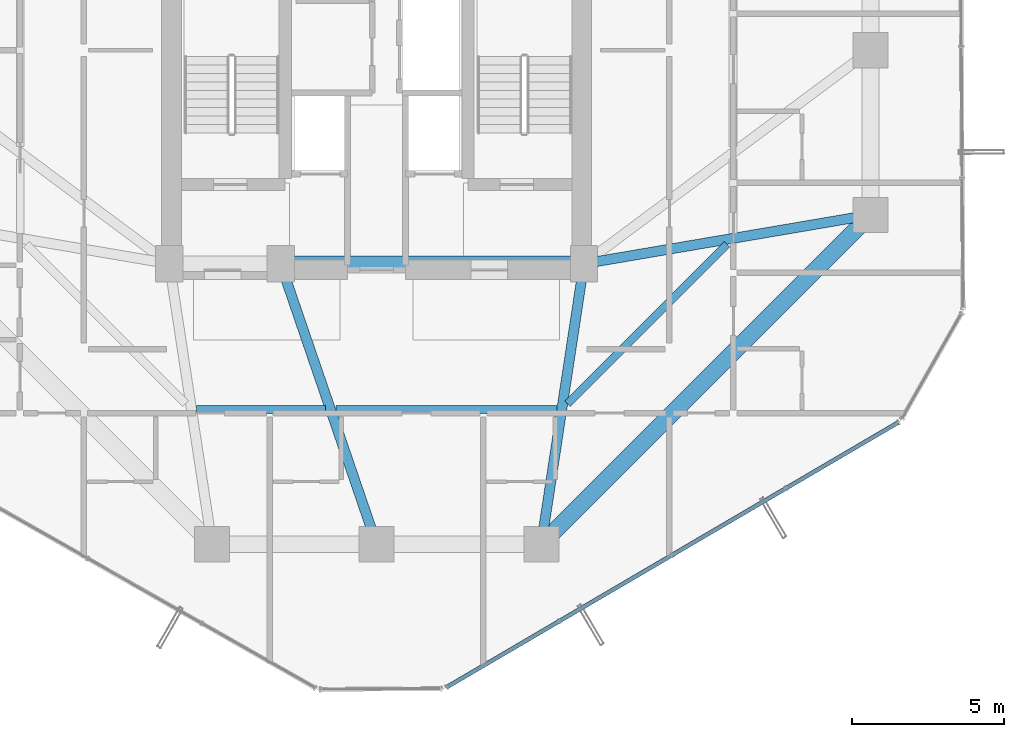
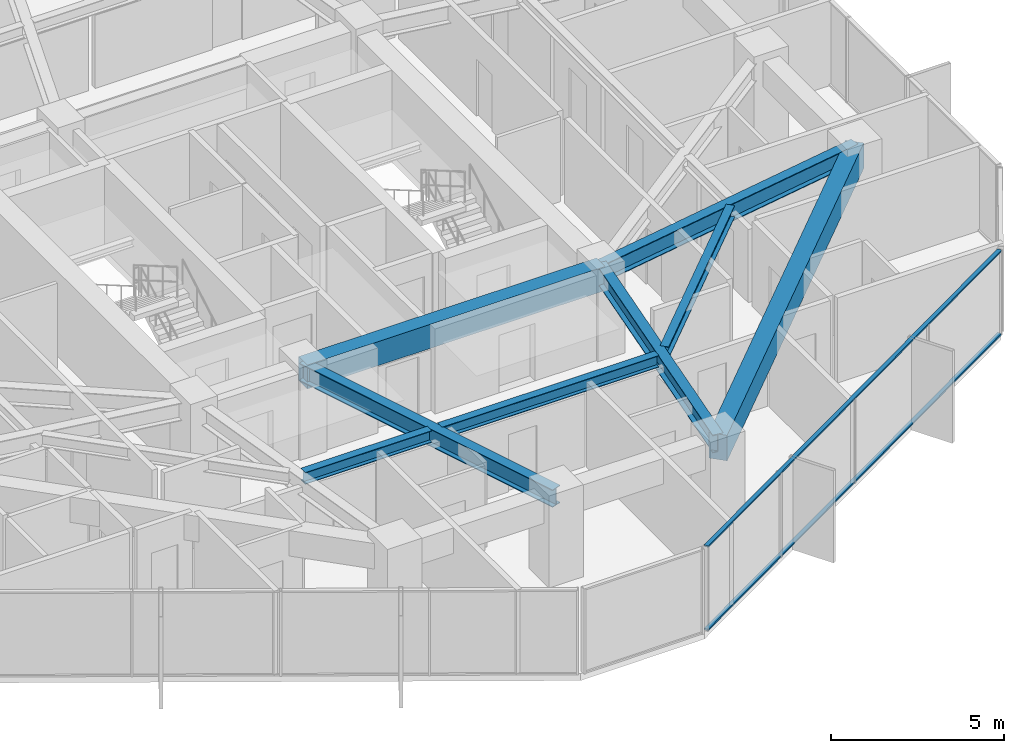
# One storey, part 8 of 30: 8 beams, 2 members, 1 element without a shape of its own.
"""IFC4 building model written with IfcOpenShell, lengths in metres."""

import ifcopenshell
import ifcopenshell.guid

model = None  # the IFC model being written
_history = None  # IfcOwnerHistory: only IFC2X3 demands one
_inside = {}  # id of a spatial element -> (the spatial element, [elements in it])
_under = {}  # id of a project, library or spatial element -> (it, [spatial elements below it])
_declared = {}  # id of a project -> (the project, [libraries it declares])
_typed = {}  # id of a type object -> (the type object, [elements of that type])
_made_of = {}  # id of a material, layer set ... -> (it, [elements and type objects made of it])


def new_model(schema):
    """Start an empty IFC model of exactly this schema.

    Asked for "IFC4X3", IfcOpenShell would pick the latest addendum, in which some entities
    have other attributes; the version numbers below select the first issue.
    IFC2X3 requires an IfcOwnerHistory on every rooted entity: one is made here for all.
    """
    global model, _history
    if schema == "IFC4X3":
        model = ifcopenshell.file(schema_version=(4, 3, 0, 0))
    else:
        model = ifcopenshell.file(schema=schema)
    _inside.clear()
    _under.clear()
    _declared.clear()
    _typed.clear()
    _made_of.clear()
    _history = None
    if model.schema == "IFC2X3":
        org = make("IfcOrganization", Name="unknown")
        user = make(
            "IfcPersonAndOrganization",
            ThePerson=make("IfcPerson", FamilyName="unknown"),
            TheOrganization=org,
        )
        app = make(
            "IfcApplication",
            ApplicationDeveloper=org,
            Version="unknown",
            ApplicationFullName="unknown",
            ApplicationIdentifier="unknown",
        )
        _history = make(
            "IfcOwnerHistory",
            OwningUser=user,
            OwningApplication=app,
            ChangeAction="ADDED",
            CreationDate=0,
        )
    return model


def make(cls, **values):
    """One entity of the class cls with the attributes given. An attribute that is None is left unset."""
    return model.create_entity(
        cls, **{name: value for name, value in values.items() if value is not None}
    )


def rooted(cls, **values):
    """An entity with a GlobalId (a new one), such as an element, a storey or a relation."""
    return make(cls, GlobalId=ifcopenshell.guid.new(), OwnerHistory=_history, **values)


def si_unit(unit_type, name, prefix=None):
    """IfcSIUnit, for example si_unit("LENGTHUNIT", "METRE", prefix="MILLI")."""
    return make("IfcSIUnit", UnitType=unit_type, Prefix=prefix, Name=name)


def assignment(units):
    """IfcUnitAssignment: the units of a project."""
    return None if units is None else make("IfcUnitAssignment", Units=units)


def point(xyz):
    """IfcCartesianPoint."""
    return None if xyz is None else make("IfcCartesianPoint", Coordinates=xyz)


def direction(xyz):
    """IfcDirection."""
    return None if xyz is None else make("IfcDirection", DirectionRatios=xyz)


def frame(location, z_axis=None, x_axis=None):
    """IfcAxis2Placement3D, a coordinate frame: its origin and axes. An axis left out is left unset."""
    return make(
        "IfcAxis2Placement3D",
        Location=point(location),
        Axis=direction(z_axis),
        RefDirection=direction(x_axis),
    )


def frame_2d(location, x_axis=None):
    """IfcAxis2Placement2D, a coordinate frame in the plane: its origin and x axis."""
    return make(
        "IfcAxis2Placement2D", Location=point(location), RefDirection=direction(x_axis)
    )


def origin():
    """The frame at (0, 0, 0) with its axes left unset."""
    return frame((0.0, 0.0, 0.0))


def origin_2d():
    """The frame at (0, 0) in the plane with its x axis left unset."""
    return frame_2d((0.0, 0.0))


def place(relative_to, where):
    """IfcLocalPlacement: puts the frame where relative to a parent placement (None: the world)."""
    return make(
        "IfcLocalPlacement", PlacementRelTo=relative_to, RelativePlacement=where
    )


def context(
    kind, dimensions, precision=None, world=None, true_north=None, identifier=None
):
    """IfcGeometricRepresentationContext, for example the 3D "Model" context."""
    return make(
        "IfcGeometricRepresentationContext",
        ContextIdentifier=identifier,
        ContextType=kind,
        CoordinateSpaceDimension=dimensions,
        Precision=precision,
        WorldCoordinateSystem=world,
        TrueNorth=true_north,
    )


def subcontext(parent, identifier, kind, view, scale=None):
    """IfcGeometricRepresentationSubContext, for example "Body" below "Model"."""
    return make(
        "IfcGeometricRepresentationSubContext",
        ContextIdentifier=identifier,
        ContextType=kind,
        ParentContext=parent,
        TargetScale=scale,
        TargetView=view,
    )


def project(units=None, contexts=None):
    """IfcProject with its units and contexts."""
    return rooted(
        "IfcProject",
        Name="project",
        RepresentationContexts=contexts,
        UnitsInContext=assignment(units),
    )


def spatial(cls, under=None, at=None, **own):
    """A site, building, storey or space (cls), placed at a placement, below another one or the project."""
    s = rooted(cls, ObjectPlacement=at, **own)
    if under is not None:
        _under.setdefault(under.id(), (under, []))[1].append(s)
    return s


def profile(cls, at=None, kind="AREA", **sizes):
    """A parametric profile (cls). Its sizes go by their IFC names, for example OverallWidth=200.0."""
    return make(cls, ProfileType=kind, Position=at, **sizes)


def rectangle(**sizes):
    """IfcRectangleProfileDef."""
    return profile("IfcRectangleProfileDef", **sizes)


def hollow_rectangle(**sizes):
    """IfcRectangleHollowProfileDef."""
    return profile("IfcRectangleHollowProfileDef", **sizes)


def i_section(**sizes):
    """IfcIShapeProfileDef."""
    return profile("IfcIShapeProfileDef", **sizes)


def extrude(swept, where, along, depth):
    """IfcExtrudedAreaSolid: the profile swept, set in the frame where, extruded along a direction by depth."""
    return make(
        "IfcExtrudedAreaSolid",
        SweptArea=swept,
        Position=where,
        ExtrudedDirection=direction(along),
        Depth=depth,
    )


def shape(context_of_items, identifier, shape_type, items):
    """IfcShapeRepresentation: the items that make up one representation, for example the "Body"."""
    return make(
        "IfcShapeRepresentation",
        ContextOfItems=context_of_items,
        RepresentationIdentifier=identifier,
        RepresentationType=shape_type,
        Items=items,
    )


def source(mapping_origin, context_of_items, identifier, shape_type, items):
    """IfcRepresentationMap: a shape defined once, which mapped items show again and again."""
    return make(
        "IfcRepresentationMap",
        MappingOrigin=mapping_origin,
        MappedRepresentation=shape(context_of_items, identifier, shape_type, items),
    )


def transform(
    local_origin,
    x_axis=None,
    y_axis=None,
    z_axis=None,
    scale=None,
    scale2=None,
    scale3=None,
    uniform=True,
):
    """IfcCartesianTransformationOperator3D, or its non-uniform kind. x_axis, y_axis, z_axis: its Axis1, 2, 3."""
    if uniform:
        return make(
            "IfcCartesianTransformationOperator3D",
            Axis1=direction(x_axis),
            Axis2=direction(y_axis),
            LocalOrigin=point(local_origin),
            Scale=scale,
            Axis3=direction(z_axis),
        )
    return make(
        "IfcCartesianTransformationOperator3DnonUniform",
        Axis1=direction(x_axis),
        Axis2=direction(y_axis),
        LocalOrigin=point(local_origin),
        Scale=scale,
        Axis3=direction(z_axis),
        Scale2=scale2,
        Scale3=scale3,
    )


def mapped(mapping_source, mapping_target):
    """IfcMappedItem: shows the shape of a source again, moved by a transform."""
    return make(
        "IfcMappedItem", MappingSource=mapping_source, MappingTarget=mapping_target
    )


def material(Name=None, Category=None):
    """IfcMaterial."""
    return make("IfcMaterial", Name=Name, Category=Category)


def layer(
    of_material, thickness, ventilated=None, Name=None, Category=None, Priority=None
):
    """IfcMaterialLayer: one layer of a wall or slab, of a material (None: an air gap)."""
    return make(
        "IfcMaterialLayer",
        Material=of_material,
        LayerThickness=thickness,
        IsVentilated=ventilated,
        Name=Name,
        Category=Category,
        Priority=Priority,
    )


def layer_set(layers, Name=None):
    """IfcMaterialLayerSet."""
    return make("IfcMaterialLayerSet", MaterialLayers=layers, LayerSetName=Name)


def material_profile(
    of_material, cross_section, Name=None, Category=None, Priority=None
):
    """IfcMaterialProfile: a cross section and its material."""
    return make(
        "IfcMaterialProfile",
        Name=Name,
        Material=of_material,
        Profile=cross_section,
        Priority=Priority,
        Category=Category,
    )


def profile_set(profiles, Name=None, composite=None):
    """IfcMaterialProfileSet."""
    return make(
        "IfcMaterialProfileSet",
        Name=Name,
        MaterialProfiles=profiles,
        CompositeProfile=composite,
    )


def made_of(thing, what):
    """Note that an element or type object is made of a material, layer set ...; save() writes the relation."""
    if what is not None:
        _made_of.setdefault(what.id(), (what, []))[1].append(thing)
    return thing


def type_object(cls, material=None, **own):
    """A type object (cls), such as IfcWallType, which elements share."""
    return made_of(rooted(cls, **own), material)


def element(
    cls,
    number,
    at=None,
    inside=None,
    cuts=None,
    type_object=None,
    material=None,
    context=None,
    identifier="Body",
    shape_type=None,
    held_by="IfcProductDefinitionShape",
    body=None,
    shapes=None,
    **own,
):
    """One element of the class cls, such as IfcWall. Its Tag is "e" and its number.

    at: its placement. inside: the storey or other place that contains it. cuts: it is an
    opening in that element (IfcRelVoidsElement). A single representation is given by context,
    identifier, shape_type and body (its items); several are given by shapes. held_by: the class
    of the entity that holds the representations. save() writes the other relations.
    """
    e = rooted(cls, Tag="e%d" % number, ObjectPlacement=at, **own)
    if body is not None:
        shapes = [shape(context, identifier, shape_type, body)]
    if shapes is not None:
        e.Representation = make(held_by, Representations=shapes)
    if inside is not None:
        _inside.setdefault(inside.id(), (inside, []))[1].append(e)
    if cuts is not None:
        rooted(
            "IfcRelVoidsElement", RelatingBuildingElement=cuts, RelatedOpeningElement=e
        )
    if type_object is not None:
        _typed.setdefault(type_object.id(), (type_object, []))[1].append(e)
    return made_of(e, material)


def aggregate(whole, parts):
    """IfcRelAggregates: a whole, such as a stair, and the parts it consists of."""
    return rooted("IfcRelAggregates", RelatingObject=whole, RelatedObjects=parts)


def save(model, path):
    """Write the relations noted so far, then the file.

    IfcRelAggregates (storeys below a building ...), IfcRelContainedInSpatialStructure (elements
    in a storey), IfcRelDefinesByType, IfcRelAssociatesMaterial and IfcRelDeclares: one each for
    every whole, place, type object, material and project.
    """
    for whole, parts in _under.values():
        aggregate(whole, parts)
    for where, things in _inside.values():
        rooted(
            "IfcRelContainedInSpatialStructure",
            RelatedElements=things,
            RelatingStructure=where,
        )
    for kind, things in _typed.values():
        rooted("IfcRelDefinesByType", RelatedObjects=things, RelatingType=kind)
    for what, things in _made_of.values():
        rooted("IfcRelAssociatesMaterial", RelatedObjects=things, RelatingMaterial=what)
    for by, libraries in _declared.values():
        rooted("IfcRelDeclares", RelatingContext=by, RelatedDefinitions=libraries)
    model.write(path)


model = new_model("IFC4")

# Units and contexts
model_context = context("Model", 3, precision=1e-05, world=origin(), true_north=direction((0.0, 1.0)))
body_context = subcontext(model_context, "Body", "Model", "MODEL_VIEW")
ifc_project = project(units=[si_unit("LENGTHUNIT", "METRE"), si_unit("AREAUNIT", "SQUARE_METRE"), si_unit("VOLUMEUNIT", "CUBIC_METRE"), si_unit("PLANEANGLEUNIT", "RADIAN"), si_unit("MASSUNIT", "GRAM", prefix="KILO")], contexts=[model_context])

# Site, building, storey
site_placement = place(None, origin())
site = spatial("IfcSite", under=ifc_project, at=site_placement, CompositionType="ELEMENT")
building_placement = place(site_placement, origin())
building = spatial("IfcBuilding", under=site, at=building_placement, Name="Veraguas Prism Commons", CompositionType="ELEMENT")
storey_placement = place(building_placement, frame((0.0, 0.0, 129.5)))
storey = spatial("IfcBuildingStorey", under=building, at=storey_placement, Name="L36", CompositionType="ELEMENT", Elevation=129.5)

# Beams
ifc_material_1 = material(Name="Concrete C50/60", Category="concrete")
ifc_material_profile_1 = material_profile(ifc_material_1, rectangle(XDim=0.5, YDim=0.85009765625, at=origin_2d()), Name="RC500X850")
ifc_profile_set_1 = profile_set([ifc_material_profile_1], Name="Concrete C50/60")
beam_type_1 = type_object("IfcBeamType", Name="Core Coupling Beam RC 500x850", PredefinedType="BEAM", material=ifc_profile_set_1)
beam_1_placement = place(storey_placement, frame((20.85009765625, 17.0, 2.574951171875), z_axis=(1.0, 0.0, 0.0), x_axis=(0.0, 1.0, 0.0)))
element("IfcBeam", 1, at=beam_1_placement, inside=storey, type_object=beam_type_1, Name="Core Coupling Beam L36-CRS2", PredefinedType="BEAM", context=body_context, shape_type="SweptSolid", body=[
    extrude(rectangle(XDim=0.5, YDim=0.85009765625, at=origin_2d()), origin(), (0.0, 0.0, 1.0), 9.949951171875),
])
ifc_material_2 = material(Name="Steel ASTM A992 Grade 50", Category="steel")
ifc_material_profile_2 = material_profile(ifc_material_2, i_section(OverallWidth=0.260986328125, OverallDepth=0.419921875, WebThickness=0.01171875, FlangeThickness=0.019287109375, at=origin_2d()), Name="W410X114")
ifc_profile_set_2 = profile_set([ifc_material_profile_2], Name="Steel ASTM A992 Grade 50")
beam_type_2 = type_object("IfcBeamType", Name="Lower Floor Joist W410x114", PredefinedType="JOIST", material=ifc_profile_set_2)
beam_2_placement = place(storey_placement, frame((18.091796875, 12.216064453125, 2.7900390625), z_axis=(1.0, 0.0, 0.0), x_axis=(0.0, 1.0, 0.0)))
element("IfcBeam", 2, at=beam_2_placement, inside=storey, type_object=beam_type_2, Name="Composite Floor Joist L36-JS10", PredefinedType="JOIST", context=body_context, shape_type="SweptSolid", body=[
    extrude(i_section(OverallWidth=0.260986328125, OverallDepth=0.419921875, WebThickness=0.01171875, FlangeThickness=0.019287109375, at=origin_2d()), origin(), (0.0, 0.0, 1.0), 4.22509765625),
])
beam_3_placement = place(storey_placement, frame((22.6591796875, 12.216064453125, 2.7900390625), z_axis=(1.0, 0.0, 0.0), x_axis=(0.0, 1.0, 0.0)))
element("IfcBeam", 3, at=beam_3_placement, inside=storey, type_object=beam_type_2, Name="Composite Floor Joist L36-JS11", PredefinedType="JOIST", context=body_context, shape_type="SweptSolid", body=[
    extrude(i_section(OverallWidth=0.260986328125, OverallDepth=0.419921875, WebThickness=0.01171875, FlangeThickness=0.019287109375, at=origin_2d()), origin(), (0.0, 0.0, 1.0), 7.2490234375),
])
beam_4_placement = place(storey_placement, frame((30.265380859375, 12.4091796875, 2.7900390625), z_axis=(0.707090260193, 0.707123301794, 0.0), x_axis=(-0.707123301794, 0.707090260193, 0.0)))
element("IfcBeam", 4, at=beam_4_placement, inside=storey, type_object=beam_type_2, Name="Composite Floor Joist L36-JS12", PredefinedType="JOIST", context=body_context, shape_type="SweptSolid", body=[
    extrude(i_section(OverallWidth=0.260986328125, OverallDepth=0.419921875, WebThickness=0.01171875, FlangeThickness=0.019287109375, at=origin_2d()), origin(), (0.0, 0.0, 1.0), 7.388916015625),
])
ifc_material_profile_3 = material_profile(ifc_material_1, rectangle(XDim=0.550048828125, YDim=0.89990234375, at=origin_2d()), Name="RC550X900")
ifc_profile_set_3 = profile_set([ifc_material_profile_3], Name="Concrete C50/60")
beam_type_3 = type_object("IfcBeamType", Name="Perimeter Spandrel Lower RC 550x900", PredefinedType="SPANDREL", material=ifc_profile_set_3)
beam_5_placement = place(storey_placement, frame((29.39990234375, 7.800048828125, 2.550048828125), z_axis=(0.707106781187, 0.707106781187, 0.0), x_axis=(-0.707106781187, 0.707106781187, 0.0)))
element("IfcBeam", 5, at=beam_5_placement, inside=storey, type_object=beam_type_3, Name="Perimeter Spandrel Beam L36-SP12", PredefinedType="SPANDREL", context=body_context, shape_type="SweptSolid", body=[
    extrude(rectangle(XDim=0.550048828125, YDim=0.89990234375, at=origin_2d()), origin(), (0.0, 0.0, 1.0), 15.273681640625),
])
ifc_material_profile_4 = material_profile(ifc_material_2, i_section(OverallWidth=0.327880859375, OverallDepth=0.6220703125, WebThickness=0.015380859375, FlangeThickness=0.0244140625, at=origin_2d()), Name="W610X195")
ifc_profile_set_4 = profile_set([ifc_material_profile_4], Name="Steel ASTM A992 Grade 50")
beam_type_4 = type_object("IfcBeamType", Name="Zone 2 Radial Girder W610x195", PredefinedType="BEAM", material=ifc_profile_set_4)
beam_6_placement = place(storey_placement, frame((40.199951171875, 18.60009765625, 2.68896484375), z_axis=(-0.985819187151, -0.1678109956, 0.0), x_axis=(0.1678109956, -0.985819187151, 0.0)))
element("IfcBeam", 6, at=beam_6_placement, inside=storey, type_object=beam_type_4, Name="Radial Floor Girder L36-RD01", PredefinedType="BEAM", context=body_context, shape_type="SweptSolid", body=[
    extrude(i_section(OverallWidth=0.327880859375, OverallDepth=0.6220703125, WebThickness=0.015380859375, FlangeThickness=0.0244140625, at=origin_2d()), origin(), (0.0, 0.0, 1.0), 9.53515625),
])
beam_7_placement = place(storey_placement, frame((24.0, 7.800048828125, 2.68896484375), z_axis=(-0.323922482989, 0.946083624747, 0.0), x_axis=(-0.946083624747, -0.323922482989, 0.0)))
element("IfcBeam", 7, at=beam_7_placement, inside=storey, type_object=beam_type_4, Name="Radial Floor Girder L36-RD11", PredefinedType="BEAM", context=body_context, shape_type="SweptSolid", body=[
    extrude(i_section(OverallWidth=0.327880859375, OverallDepth=0.6220703125, WebThickness=0.015380859375, FlangeThickness=0.0244140625, at=origin_2d()), origin(), (0.0, 0.0, 1.0), 9.724365234375),
])
beam_8_placement = place(storey_placement, frame((29.39990234375, 7.800048828125, 2.68896484375), z_axis=(0.150458162136, 0.98861637729, 0.0), x_axis=(-0.98861637729, 0.150458162136, 0.0)))
element("IfcBeam", 8, at=beam_8_placement, inside=storey, type_object=beam_type_4, Name="Radial Floor Girder L36-RD12", PredefinedType="BEAM", context=body_context, shape_type="SweptSolid", body=[
    extrude(i_section(OverallWidth=0.327880859375, OverallDepth=0.6220703125, WebThickness=0.015380859375, FlangeThickness=0.0244140625, at=origin_2d()), origin(), (0.0, 0.0, 1.0), 9.305908203125),
])

# Curtain wall, members
ifc_material_3 = material(Name="Anodised aluminium EN AW-6063 T6", Category="aluminium")
ifc_layer = layer(ifc_material_3, 0.169921875, Name="Unitised Flush Curtain Wall Zone 2", Category="aluminium")
ifc_layer_set = layer_set([ifc_layer], Name="Anodised aluminium EN AW-6063 T6")
curtain_wall_type = type_object("IfcCurtainWallType", Name="Unitised Flush Curtain Wall Zone 2", PredefinedType="NOTDEFINED", material=ifc_layer_set)
curtain_wall_placement = place(storey_placement, origin())
curtain_wall = element("IfcCurtainWall", 9, at=curtain_wall_placement, inside=storey, type_object=curtain_wall_type, Name="Tower Facade Curtain Wall L36-F5", PredefinedType="NOTDEFINED")
ifc_material_profile_5 = material_profile(ifc_material_3, hollow_rectangle(XDim=0.054931640625, YDim=0.135009765625, WallThickness=0.0029296875, at=origin_2d()), Name="AL55X135X3")
ifc_profile_set_5 = profile_set([ifc_material_profile_5], Name="Anodised aluminium EN AW-6063 T6")
member_type = type_object("IfcMemberType", Name="Curtain Wall Transom Standard AL 55x135x3", PredefinedType="USERDEFINED", material=ifc_profile_set_5)
shared_shape = source(origin(), body_context, "Body", "SweptSolid", [
    extrude(hollow_rectangle(XDim=0.054931640625, YDim=0.135009765625, WallThickness=0.0029296875, at=origin_2d()), origin(), (0.0, 0.0, 1.0), 17.17431640625),
])
member_1_placement = place(storey_placement, frame((26.293212890625, 3.108642578125, 0.027587890625), z_axis=(0.862682785525, 0.505745401915, 0.0), x_axis=(0.0, 0.0, 1.0)))
member_1 = element("IfcMember", 10, at=member_1_placement, type_object=member_type, Name="CW-Z2 Transom 1", ObjectType="TRANSOM", PredefinedType="USERDEFINED", context=body_context, shape_type="MappedRepresentation", body=[
    mapped(shared_shape, transform((0.0, 0.0, 0.0), scale=1.0)),
])
member_2_placement = place(storey_placement, frame((26.293212890625, 3.108642578125, 2.972412109375), z_axis=(0.862682785525, 0.505745401915, 0.0), x_axis=(0.0, 0.0, 1.0)))
member_2 = element("IfcMember", 11, at=member_2_placement, type_object=member_type, Name="CW-Z2 Transom 2", ObjectType="TRANSOM", PredefinedType="USERDEFINED", context=body_context, shape_type="MappedRepresentation", body=[
    mapped(shared_shape, transform((0.0, 0.0, 0.0), scale=1.0)),
])
aggregate(curtain_wall, [member_1, member_2])

save(model, "model.ifc")
